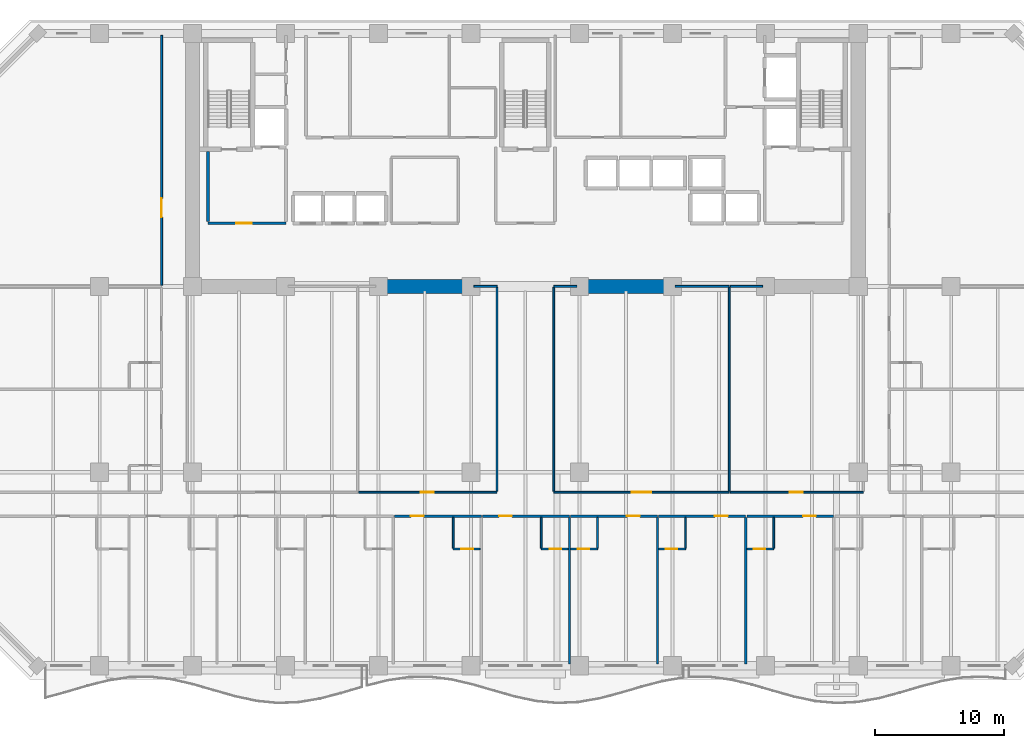
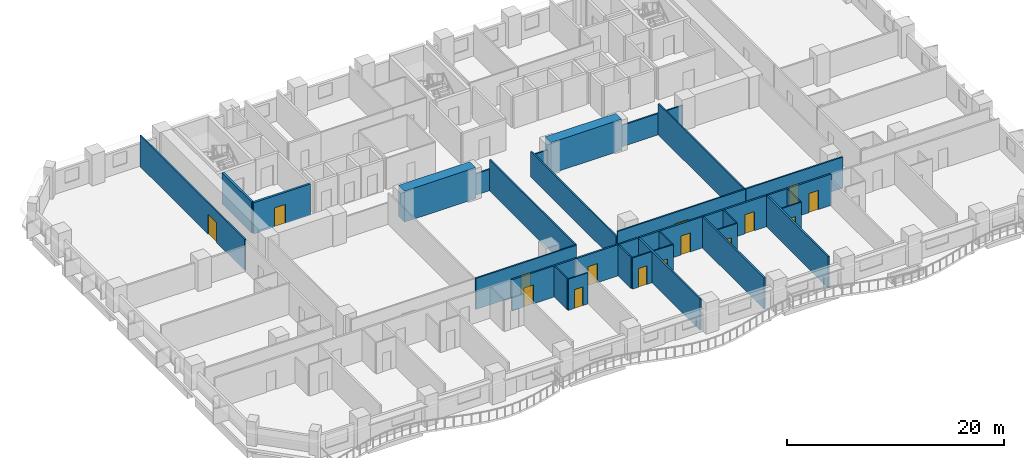
# One storey, part 6 of 15: 33 walls, 15 doors, 15 openings.
"""IFC4 building model written with IfcOpenShell, lengths in metres."""

from ifc_helpers import new_model, si_unit, direction, frame, frame_2d, origin, place, context, subcontext, project, spatial, rectangle, extrude, material, layer, layer_set, type_object, element, fill, save


model = new_model("IFC4")

# Units and contexts
model_context = context("Model", 3, precision=1e-05, world=origin(), true_north=direction((0.0, 1.0)))
body_context = subcontext(model_context, "Body", "Model", "MODEL_VIEW")
ifc_project = project(units=[si_unit("LENGTHUNIT", "METRE"), si_unit("AREAUNIT", "SQUARE_METRE"), si_unit("VOLUMEUNIT", "CUBIC_METRE"), si_unit("PLANEANGLEUNIT", "RADIAN"), si_unit("MASSUNIT", "GRAM", prefix="KILO")], contexts=[model_context])

# Site, building, storey
site_placement = place(None, origin())
site = spatial("IfcSite", under=ifc_project, at=site_placement, CompositionType="ELEMENT")
building_placement = place(site_placement, origin())
building = spatial("IfcBuilding", under=site, at=building_placement, Name="Kaelvorn Grand Hotel", CompositionType="ELEMENT")
storey_placement = place(building_placement, frame((0.0, 0.0, 53.89990234375)))
storey = spatial("IfcBuildingStorey", under=building, at=storey_placement, Name="L11", CompositionType="ELEMENT", Elevation=53.89990234375)

# Walls
ifc_material_1 = material(Name="Concrete C80/95", Category="concrete")
ifc_layer_1 = layer(ifc_material_1, 1.10009765625)
ifc_layer_set_1 = layer_set([ifc_layer_1], Name="Concrete C80/95")
wall_type_1 = type_object("IfcWallType", Name="WL-CORE-1100-C80", PredefinedType="SHEAR", material=ifc_layer_set_1)
for number, where, z_axis, x_axis, name in (
    (1, (30.39990234375, 29.39990234375, 0.0), (0.0, 0.0, 1.0), (1.0, 0.0, 0.0), "L11 Rear-Core Coupled Shear Pier S2"),
    (2, (46.0, 29.39990234375, 0.0), (0.0, 0.0, 1.0), (1.0, 0.0, 0.0), "L11 Rear-Core Coupled Shear Pier S3"),
):
    element("IfcWall", number, at=place(storey_placement, frame(where, z_axis=z_axis, x_axis=x_axis)), inside=storey, type_object=wall_type_1, Name=name, PredefinedType="SHEAR", context=body_context, shape_type="SweptSolid", body=[
        extrude(rectangle(XDim=7.60009765625, YDim=1.10009765625, at=frame_2d((3.800048828125, 0.0))), origin(), (0.0, 0.0, 1.0), 3.510009765625),
    ])

# Wall, opening, door
ifc_material_2 = material(Name="Moisture-Resistant Tile & Stud Board")
ifc_layer_2 = layer(ifc_material_2, 0.125)
ifc_layer_set_2 = layer_set([ifc_layer_2], Name="Moisture-Resistant Tile & Stud Board")
wall_type_2 = type_object("IfcWallType", Name="WL-PART-125-WET", PredefinedType="PARTITIONING", material=ifc_layer_set_2)
wall_1_placement = place(storey_placement, frame((36.406494140625, 9.050048828125, 0.0), z_axis=(0.0, 0.0, 1.0), x_axis=(1.0, 0.0, 0.0)))
wall_1 = element("IfcWall", 3, at=wall_1_placement, inside=storey, type_object=wall_type_2, Name="L11 En-suite Bathroom L11-05 S Partition", PredefinedType="PARTITIONING", context=body_context, shape_type="SweptSolid", body=[
    extrude(rectangle(XDim=2.0849609375, YDim=0.125, at=frame_2d((1.04248046875, 0.0))), origin(), (0.0, 0.0, 1.0), 3.510009765625),
])
opening_1_placement = place(wall_1_placement, frame((0.639892578125, 0.0, 0.0)))
opening_1 = element("IfcOpeningElement", 4, at=opening_1_placement, cuts=wall_1, Name="Opening DI4", PredefinedType="OPENING", context=body_context, shape_type="SweptSolid", body=[
    extrude(rectangle(XDim=0.89990234375, YDim=2.10009765625, at=frame_2d((0.449951171875, 1.050048828125))), frame((0.0, 0.072509765625, 0.0), z_axis=(0.0, -1.0, 0.0), x_axis=(1.0, 0.0, 0.0)), (0.0, 0.0, 1.0), 0.14501953125),
])
ifc_material_3 = material(Name="Timber Veneer Leaf", Category="wood")
door_type_1 = type_object("IfcDoorType", Name="DR-INT-BATH-900x2100", OperationType="NOTDEFINED", PredefinedType="DOOR", material=ifc_material_3)
door_1_placement = place(opening_1_placement, origin())
door_1 = element("IfcDoor", 5, at=door_1_placement, inside=storey, type_object=door_type_1, Name="L11 En-suite Bathroom L11-05 Door", OperationType="SINGLE_SWING_RIGHT", OverallHeight=2.10009765625, OverallWidth=0.89990234375, PredefinedType="DOOR", context=body_context, shape_type="SweptSolid", body=[
    extrude(rectangle(XDim=0.89990234375, YDim=2.10009765625, at=frame_2d((0.449951171875, 1.050048828125))), frame((0.0, 0.02490234375, 0.0), z_axis=(0.0, -1.0, 0.0), x_axis=(1.0, 0.0, 0.0)), (0.0, 0.0, 1.0), 0.050048828125),
])
fill(opening_1, door_1)

# Wall
wall_2_placement = place(storey_placement, frame((36.406494140625, 9.117431640625, 0.0), z_axis=(0.0, 0.0, 1.0), x_axis=(0.0, 1.0, 0.0)))
element("IfcWall", 6, at=wall_2_placement, inside=storey, type_object=wall_type_2, Name="L11 En-suite Bathroom L11-05 W Partition", PredefinedType="PARTITIONING", context=body_context, shape_type="SweptSolid", body=[
    extrude(rectangle(XDim=2.387451171875, YDim=0.125, at=frame_2d((1.19384765625, 0.0))), origin(), (0.0, 0.0, 1.0), 3.510009765625),
])

# Wall, opening, door
wall_3_placement = place(storey_placement, frame((43.233642578125, 9.050048828125, 0.0), z_axis=(0.0, 0.0, 1.0), x_axis=(1.0, 0.0, 0.0)))
wall_3 = element("IfcWall", 7, at=wall_3_placement, inside=storey, type_object=wall_type_2, Name="L11 En-suite Bathroom L11-06 S Partition", PredefinedType="PARTITIONING", context=body_context, shape_type="SweptSolid", body=[
    extrude(rectangle(XDim=2.0849609375, YDim=0.125, at=frame_2d((1.04248046875, 0.0))), origin(), (0.0, 0.0, 1.0), 3.510009765625),
])
opening_2_placement = place(wall_3_placement, frame((0.639892578125, 0.0, 0.0)))
opening_2 = element("IfcOpeningElement", 8, at=opening_2_placement, cuts=wall_3, Name="Opening DI4", PredefinedType="OPENING", context=body_context, shape_type="SweptSolid", body=[
    extrude(rectangle(XDim=0.89990234375, YDim=2.10009765625, at=frame_2d((0.449951171875, 1.050048828125))), frame((0.0, 0.072509765625, 0.0), z_axis=(0.0, -1.0, 0.0), x_axis=(1.0, 0.0, 0.0)), (0.0, 0.0, 1.0), 0.14501953125),
])
door_2_placement = place(opening_2_placement, origin())
door_2 = element("IfcDoor", 9, at=door_2_placement, inside=storey, type_object=door_type_1, Name="L11 En-suite Bathroom L11-06 Door", OperationType="SINGLE_SWING_RIGHT", OverallHeight=2.10009765625, OverallWidth=0.89990234375, PredefinedType="DOOR", context=body_context, shape_type="SweptSolid", body=[
    extrude(rectangle(XDim=0.89990234375, YDim=2.10009765625, at=frame_2d((0.449951171875, 1.050048828125))), frame((0.0, 0.02490234375, 0.0), z_axis=(0.0, -1.0, 0.0), x_axis=(1.0, 0.0, 0.0)), (0.0, 0.0, 1.0), 0.050048828125),
])
fill(opening_2, door_2)

# Wall
wall_4_placement = place(storey_placement, frame((43.233642578125, 9.117431640625, 0.0), z_axis=(0.0, 0.0, 1.0), x_axis=(0.0, 1.0, 0.0)))
element("IfcWall", 10, at=wall_4_placement, inside=storey, type_object=wall_type_2, Name="L11 En-suite Bathroom L11-06 W Partition", PredefinedType="PARTITIONING", context=body_context, shape_type="SweptSolid", body=[
    extrude(rectangle(XDim=2.387451171875, YDim=0.125, at=frame_2d((1.19384765625, 0.0))), origin(), (0.0, 0.0, 1.0), 3.510009765625),
])

# Wall, opening, door
wall_5_placement = place(storey_placement, frame((45.508544921875, 9.050048828125, 0.0), z_axis=(0.0, 0.0, 1.0), x_axis=(1.0, 0.0, 0.0)))
wall_5 = element("IfcWall", 11, at=wall_5_placement, inside=storey, type_object=wall_type_2, Name="L11 En-suite Bathroom L11-07 S Partition", PredefinedType="PARTITIONING", context=body_context, shape_type="SweptSolid", body=[
    extrude(rectangle(XDim=2.0849609375, YDim=0.125, at=frame_2d((1.04248046875, 0.0))), origin(), (0.0, 0.0, 1.0), 3.510009765625),
])
opening_3_placement = place(wall_5_placement, frame((0.544921875, 0.0, 0.0)))
opening_3 = element("IfcOpeningElement", 12, at=opening_3_placement, cuts=wall_5, Name="Opening DI4", PredefinedType="OPENING", context=body_context, shape_type="SweptSolid", body=[
    extrude(rectangle(XDim=0.89990234375, YDim=2.10009765625, at=frame_2d((0.449951171875, 1.050048828125))), frame((0.0, 0.072509765625, 0.0), z_axis=(0.0, -1.0, 0.0), x_axis=(1.0, 0.0, 0.0)), (0.0, 0.0, 1.0), 0.14501953125),
])
door_3_placement = place(opening_3_placement, origin())
door_3 = element("IfcDoor", 13, at=door_3_placement, inside=storey, type_object=door_type_1, Name="L11 En-suite Bathroom L11-07 Door", OperationType="SINGLE_SWING_RIGHT", OverallHeight=2.10009765625, OverallWidth=0.89990234375, PredefinedType="DOOR", context=body_context, shape_type="SweptSolid", body=[
    extrude(rectangle(XDim=0.89990234375, YDim=2.10009765625, at=frame_2d((0.449951171875, 1.050048828125))), frame((0.0, 0.02490234375, 0.0), z_axis=(0.0, -1.0, 0.0), x_axis=(1.0, 0.0, 0.0)), (0.0, 0.0, 1.0), 0.050048828125),
])
fill(opening_3, door_3)

# Wall
wall_6_placement = place(storey_placement, frame((47.593505859375, 9.117431640625, 0.0), z_axis=(0.0, 0.0, 1.0), x_axis=(0.0, 1.0, 0.0)))
element("IfcWall", 14, at=wall_6_placement, inside=storey, type_object=wall_type_2, Name="L11 En-suite Bathroom L11-07 E Partition", PredefinedType="PARTITIONING", context=body_context, shape_type="SweptSolid", body=[
    extrude(rectangle(XDim=2.387451171875, YDim=0.125, at=frame_2d((1.19384765625, 0.0))), origin(), (0.0, 0.0, 1.0), 3.510009765625),
])

# Wall, opening, door
wall_7_placement = place(storey_placement, frame((52.3359375, 9.050048828125, 0.0), z_axis=(0.0, 0.0, 1.0), x_axis=(1.0, 0.0, 0.0)))
wall_7 = element("IfcWall", 15, at=wall_7_placement, inside=storey, type_object=wall_type_2, Name="L11 En-suite Bathroom L11-08 S Partition", PredefinedType="PARTITIONING", context=body_context, shape_type="SweptSolid", body=[
    extrude(rectangle(XDim=2.0849609375, YDim=0.125, at=frame_2d((1.04248046875, 0.0))), origin(), (0.0, 0.0, 1.0), 3.510009765625),
])
opening_4_placement = place(wall_7_placement, frame((0.544921875, 0.0, 0.0)))
opening_4 = element("IfcOpeningElement", 16, at=opening_4_placement, cuts=wall_7, Name="Opening DI4", PredefinedType="OPENING", context=body_context, shape_type="SweptSolid", body=[
    extrude(rectangle(XDim=0.89990234375, YDim=2.10009765625, at=frame_2d((0.449951171875, 1.050048828125))), frame((0.0, 0.072509765625, 0.0), z_axis=(0.0, -1.0, 0.0), x_axis=(1.0, 0.0, 0.0)), (0.0, 0.0, 1.0), 0.14501953125),
])
door_4_placement = place(opening_4_placement, origin())
door_4 = element("IfcDoor", 17, at=door_4_placement, inside=storey, type_object=door_type_1, Name="L11 En-suite Bathroom L11-08 Door", OperationType="SINGLE_SWING_RIGHT", OverallHeight=2.10009765625, OverallWidth=0.89990234375, PredefinedType="DOOR", context=body_context, shape_type="SweptSolid", body=[
    extrude(rectangle(XDim=0.89990234375, YDim=2.10009765625, at=frame_2d((0.449951171875, 1.050048828125))), frame((0.0, 0.02490234375, 0.0), z_axis=(0.0, -1.0, 0.0), x_axis=(1.0, 0.0, 0.0)), (0.0, 0.0, 1.0), 0.050048828125),
])
fill(opening_4, door_4)

# Wall
wall_8_placement = place(storey_placement, frame((54.4208984375, 9.117431640625, 0.0), z_axis=(0.0, 0.0, 1.0), x_axis=(0.0, 1.0, 0.0)))
element("IfcWall", 18, at=wall_8_placement, inside=storey, type_object=wall_type_2, Name="L11 En-suite Bathroom L11-08 E Partition", PredefinedType="PARTITIONING", context=body_context, shape_type="SweptSolid", body=[
    extrude(rectangle(XDim=2.387451171875, YDim=0.125, at=frame_2d((1.19384765625, 0.0))), origin(), (0.0, 0.0, 1.0), 3.510009765625),
])

# Wall, opening, door
wall_9_placement = place(storey_placement, frame((59.1630859375, 9.050048828125, 0.0), z_axis=(0.0, 0.0, 1.0), x_axis=(1.0, 0.0, 0.0)))
wall_9 = element("IfcWall", 19, at=wall_9_placement, inside=storey, type_object=wall_type_2, Name="L11 En-suite Bathroom L11-09 S Partition", PredefinedType="PARTITIONING", context=body_context, shape_type="SweptSolid", body=[
    extrude(rectangle(XDim=2.085205078125, YDim=0.125, at=frame_2d((1.04248046875, 0.0))), origin(), (0.0, 0.0, 1.0), 3.510009765625),
])
opening_5_placement = place(wall_9_placement, frame((0.544921875, 0.0, 0.0)))
opening_5 = element("IfcOpeningElement", 20, at=opening_5_placement, cuts=wall_9, Name="Opening DI4", PredefinedType="OPENING", context=body_context, shape_type="SweptSolid", body=[
    extrude(rectangle(XDim=0.89990234375, YDim=2.10009765625, at=frame_2d((0.449951171875, 1.050048828125))), frame((0.0, 0.072509765625, 0.0), z_axis=(0.0, -1.0, 0.0), x_axis=(1.0, 0.0, 0.0)), (0.0, 0.0, 1.0), 0.14501953125),
])
door_5_placement = place(opening_5_placement, origin())
door_5 = element("IfcDoor", 21, at=door_5_placement, inside=storey, type_object=door_type_1, Name="L11 En-suite Bathroom L11-09 Door", OperationType="SINGLE_SWING_RIGHT", OverallHeight=2.10009765625, OverallWidth=0.89990234375, PredefinedType="DOOR", context=body_context, shape_type="SweptSolid", body=[
    extrude(rectangle(XDim=0.89990234375, YDim=2.10009765625, at=frame_2d((0.449951171875, 1.050048828125))), frame((0.0, 0.02490234375, 0.0), z_axis=(0.0, -1.0, 0.0), x_axis=(1.0, 0.0, 0.0)), (0.0, 0.0, 1.0), 0.050048828125),
])
fill(opening_5, door_5)

# Wall
wall_10_placement = place(storey_placement, frame((61.248291015625, 9.117431640625, 0.0), z_axis=(0.0, 0.0, 1.0), x_axis=(0.0, 1.0, 0.0)))
element("IfcWall", 22, at=wall_10_placement, inside=storey, type_object=wall_type_2, Name="L11 En-suite Bathroom L11-09 E Partition", PredefinedType="PARTITIONING", context=body_context, shape_type="SweptSolid", body=[
    extrude(rectangle(XDim=2.387451171875, YDim=0.125, at=frame_2d((1.19384765625, 0.0))), origin(), (0.0, 0.0, 1.0), 3.510009765625),
])

# Wall, opening, door
ifc_material_4 = material(Name="Acoustic Gypsum & Stud Partition")
ifc_layer_3 = layer(ifc_material_4, 0.14990234375)
ifc_layer_set_3 = layer_set([ifc_layer_3], Name="Acoustic Gypsum & Stud Partition")
wall_type_3 = type_object("IfcWallType", Name="WL-PART-150-EI60", PredefinedType="PARTITIONING", material=ifc_layer_set_3)
wall_11_placement = place(storey_placement, frame((29.080078125, 13.449951171875, 0.0), z_axis=(0.0, 0.0, 1.0), x_axis=(1.0, 0.0, 0.0)))
wall_11 = element("IfcWall", 23, at=wall_11_placement, inside=storey, type_object=wall_type_3, Name="L11 Chef Finishing Kitchen S Partition", PredefinedType="PARTITIONING", context=body_context, shape_type="SweptSolid", body=[
    extrude(rectangle(XDim=10.719970703125, YDim=0.14990234375, at=frame_2d((5.35986328125, 0.0))), origin(), (0.0, 0.0, 1.0), 3.510009765625),
])
opening_6_placement = place(wall_11_placement, frame((4.820068359375, 0.0, 0.0)))
opening_6 = element("IfcOpeningElement", 24, at=opening_6_placement, cuts=wall_11, Name="Opening DI3", PredefinedType="OPENING", context=body_context, shape_type="SweptSolid", body=[
    extrude(rectangle(XDim=1.0, YDim=2.14990234375, at=frame_2d((0.5, 1.074951171875))), frame((0.0, 0.0849609375, 0.0), z_axis=(0.0, -1.0, 0.0), x_axis=(1.0, 0.0, 0.0)), (0.0, 0.0, 1.0), 0.169921875),
])
ifc_material_5 = material(Name="Timber Veneer Fire Leaf", Category="wood")
door_type_2 = type_object("IfcDoorType", Name="DR-INT-GUEST-1000x2150", OperationType="NOTDEFINED", PredefinedType="DOOR", material=ifc_material_5)
door_6_placement = place(opening_6_placement, origin())
door_6 = element("IfcDoor", 25, at=door_6_placement, inside=storey, type_object=door_type_2, Name="L11 Chef Finishing Kitchen Door", OperationType="SINGLE_SWING_LEFT", OverallHeight=2.14990234375, OverallWidth=1.0, PredefinedType="DOOR", context=body_context, shape_type="SweptSolid", body=[
    extrude(rectangle(XDim=1.0, YDim=2.14990234375, at=frame_2d((0.5, 1.074951171875))), frame((0.0, 0.02490234375, 0.0), z_axis=(0.0, -1.0, 0.0), x_axis=(1.0, 0.0, 0.0)), (0.0, 0.0, 1.0), 0.050048828125),
])
fill(opening_6, door_6)

# Walls
wall_12_placement = place(storey_placement, frame((38.010009765625, 29.39990234375, 0.0), z_axis=(0.0, 0.0, 1.0), x_axis=(1.0, 0.0, 0.0)))
element("IfcWall", 26, at=wall_12_placement, inside=storey, type_object=wall_type_3, Name="L11 Chef Finishing Kitchen N Partition (2)", PredefinedType="PARTITIONING", context=body_context, shape_type="SweptSolid", body=[
    extrude(rectangle(XDim=1.7900390625, YDim=0.14990234375, at=frame_2d((0.89501953125, 0.0))), origin(), (0.0, 0.0, 1.0), 2.41015625),
])
wall_13_placement = place(storey_placement, frame((39.800048828125, 13.530029296875, 0.0), z_axis=(0.0, 0.0, 1.0), x_axis=(0.0, 1.0, 0.0)))
element("IfcWall", 27, at=wall_13_placement, inside=storey, type_object=wall_type_3, Name="L11 Chef Finishing Kitchen E Partition", PredefinedType="PARTITIONING", context=body_context, shape_type="SweptSolid", body=[
    extrude(rectangle(XDim=15.7900390625, YDim=0.14990234375, at=frame_2d((7.89501953125, 0.0))), origin(), (0.0, 0.0, 1.0), 3.510009765625),
])

# Wall, opening, door
wall_14_placement = place(storey_placement, frame((44.199951171875, 13.449951171875, 0.0), z_axis=(0.0, 0.0, 1.0), x_axis=(1.0, 0.0, 0.0)))
wall_14 = element("IfcWall", 28, at=wall_14_placement, inside=storey, type_object=wall_type_3, Name="L11 Conference Seminar Room S Partition", PredefinedType="PARTITIONING", context=body_context, shape_type="SweptSolid", body=[
    extrude(rectangle(XDim=13.60009765625, YDim=0.14990234375, at=frame_2d((6.800048828125, 0.0))), origin(), (0.0, 0.0, 1.0), 3.510009765625),
])
opening_7_placement = place(wall_14_placement, frame((6.050048828125, 0.0, 0.0)))
opening_7 = element("IfcOpeningElement", 29, at=opening_7_placement, cuts=wall_14, Name="Opening DI5", PredefinedType="OPENING", context=body_context, shape_type="SweptSolid", body=[
    extrude(rectangle(XDim=1.5, YDim=2.25, at=frame_2d((0.75, 1.125))), frame((0.0, 0.0849609375, 0.0), z_axis=(0.0, -1.0, 0.0), x_axis=(1.0, 0.0, 0.0)), (0.0, 0.0, 1.0), 0.169921875),
])
door_type_3 = type_object("IfcDoorType", Name="DR-INT-SALON-1500x2250", OperationType="DOUBLE_DOOR_SINGLE_SWING", PredefinedType="DOOR", material=ifc_material_5)
door_7_placement = place(opening_7_placement, origin())
door_7 = element("IfcDoor", 30, at=door_7_placement, inside=storey, type_object=door_type_3, Name="L11 Conference Seminar Room Door", OperationType="DOUBLE_DOOR_SINGLE_SWING", OverallHeight=2.25, OverallWidth=1.5, PredefinedType="DOOR", context=body_context, shape_type="SweptSolid", body=[
    extrude(rectangle(XDim=1.5, YDim=2.25, at=frame_2d((0.75, 1.125))), frame((0.0, 0.02490234375, 0.0), z_axis=(0.0, -1.0, 0.0), x_axis=(1.0, 0.0, 0.0)), (0.0, 0.0, 1.0), 0.050048828125),
])
fill(opening_7, door_7)

# Walls
wall_15_placement = place(storey_placement, frame((44.199951171875, 29.39990234375, 0.0), z_axis=(0.0, 0.0, 1.0), x_axis=(1.0, 0.0, 0.0)))
element("IfcWall", 31, at=wall_15_placement, inside=storey, type_object=wall_type_3, Name="L11 Conference Seminar Room N Partition (1)", PredefinedType="PARTITIONING", context=body_context, shape_type="SweptSolid", body=[
    extrude(rectangle(XDim=1.7900390625, YDim=0.14990234375, at=frame_2d((0.89501953125, 0.0))), origin(), (0.0, 0.0, 1.0), 2.41015625),
])
wall_16_placement = place(storey_placement, frame((53.610107421875, 29.39990234375, 0.0), z_axis=(0.0, 0.0, 1.0), x_axis=(1.0, 0.0, 0.0)))
element("IfcWall", 32, at=wall_16_placement, inside=storey, type_object=wall_type_3, Name="L11 Conference Seminar Room N Partition (2)", PredefinedType="PARTITIONING", context=body_context, shape_type="SweptSolid", body=[
    extrude(rectangle(XDim=4.18994140625, YDim=0.14990234375, at=frame_2d((2.094970703125, 0.0))), origin(), (0.0, 0.0, 1.0), 2.41015625),
])
wall_17_placement = place(storey_placement, frame((44.199951171875, 13.530029296875, 0.0), z_axis=(0.0, 0.0, 1.0), x_axis=(0.0, 1.0, 0.0)))
element("IfcWall", 33, at=wall_17_placement, inside=storey, type_object=wall_type_3, Name="L11 Conference Seminar Room W Partition", PredefinedType="PARTITIONING", context=body_context, shape_type="SweptSolid", body=[
    extrude(rectangle(XDim=15.7900390625, YDim=0.14990234375, at=frame_2d((7.89501953125, 0.0))), origin(), (0.0, 0.0, 1.0), 2.880126953125),
])
wall_18_placement = place(storey_placement, frame((57.800048828125, 13.530029296875, 0.0), z_axis=(0.0, 0.0, 1.0), x_axis=(0.0, 1.0, 0.0)))
element("IfcWall", 34, at=wall_18_placement, inside=storey, type_object=wall_type_3, Name="L11 Conference Seminar Room E Partition", PredefinedType="PARTITIONING", context=body_context, shape_type="SweptSolid", body=[
    extrude(rectangle(XDim=15.7900390625, YDim=0.14990234375, at=frame_2d((7.89501953125, 0.0))), origin(), (0.0, 0.0, 1.0), 3.510009765625),
])

# Wall, opening, door
wall_19_placement = place(storey_placement, frame((57.8798828125, 13.449951171875, 0.0), z_axis=(0.0, 0.0, 1.0), x_axis=(1.0, 0.0, 0.0)))
wall_19 = element("IfcWall", 35, at=wall_19_placement, inside=storey, type_object=wall_type_3, Name="L11 Concierge Admin Office S Partition", PredefinedType="PARTITIONING", context=body_context, shape_type="SweptSolid", body=[
    extrude(rectangle(XDim=10.320068359375, YDim=0.14990234375, at=frame_2d((5.16015625, 0.0))), origin(), (0.0, 0.0, 1.0), 3.510009765625),
])
opening_8_placement = place(wall_19_placement, frame((4.6201171875, 0.0, 0.0)))
opening_8 = element("IfcOpeningElement", 36, at=opening_8_placement, cuts=wall_19, Name="Opening DI3", PredefinedType="OPENING", context=body_context, shape_type="SweptSolid", body=[
    extrude(rectangle(XDim=1.0, YDim=2.14990234375, at=frame_2d((0.5, 1.074951171875))), frame((0.0, 0.0849609375, 0.0), z_axis=(0.0, -1.0, 0.0), x_axis=(1.0, 0.0, 0.0)), (0.0, 0.0, 1.0), 0.169921875),
])
door_8_placement = place(opening_8_placement, origin())
door_8 = element("IfcDoor", 37, at=door_8_placement, inside=storey, type_object=door_type_2, Name="L11 Concierge Admin Office Door", OperationType="SINGLE_SWING_RIGHT", OverallHeight=2.14990234375, OverallWidth=1.0, PredefinedType="DOOR", context=body_context, shape_type="SweptSolid", body=[
    extrude(rectangle(XDim=1.0, YDim=2.14990234375, at=frame_2d((0.5, 1.074951171875))), frame((0.0, 0.02490234375, 0.0), z_axis=(0.0, -1.0, 0.0), x_axis=(1.0, 0.0, 0.0)), (0.0, 0.0, 1.0), 0.050048828125),
])
fill(opening_8, door_8)

# Wall
wall_20_placement = place(storey_placement, frame((57.8798828125, 29.39990234375, 0.0), z_axis=(0.0, 0.0, 1.0), x_axis=(1.0, 0.0, 0.0)))
element("IfcWall", 38, at=wall_20_placement, inside=storey, type_object=wall_type_3, Name="L11 Concierge Admin Office N Partition", PredefinedType="PARTITIONING", context=body_context, shape_type="SweptSolid", body=[
    extrude(rectangle(XDim=2.510009765625, YDim=0.14990234375, at=frame_2d((1.2548828125, 0.0))), origin(), (0.0, 0.0, 1.0), 2.41015625),
])

# Wall, opening, door
wall_21_placement = place(storey_placement, frame((13.800048828125, 29.4951171875, 0.0), z_axis=(0.0, 0.0, 1.0), x_axis=(0.0, 1.0, 0.0)))
wall_21 = element("IfcWall", 39, at=wall_21_placement, inside=storey, type_object=wall_type_3, Name="L11 North-West Conference Seminar Room E Partition", PredefinedType="PARTITIONING", context=body_context, shape_type="SweptSolid", body=[
    extrude(rectangle(XDim=19.35498046875, YDim=0.14990234375, at=frame_2d((9.677490234375, 0.0))), origin(), (0.0, 0.0, 1.0), 3.510009765625),
])
opening_9_placement = place(wall_21_placement, frame((5.2548828125, 0.0, 0.0)))
opening_9 = element("IfcOpeningElement", 40, at=opening_9_placement, cuts=wall_21, Name="Opening DI5", PredefinedType="OPENING", context=body_context, shape_type="SweptSolid", body=[
    extrude(rectangle(XDim=1.5, YDim=2.25, at=frame_2d((0.75, 1.125))), frame((0.0, 0.0849609375, 0.0), z_axis=(0.0, -1.0, 0.0), x_axis=(1.0, 0.0, 0.0)), (0.0, 0.0, 1.0), 0.169921875),
])
door_9_placement = place(opening_9_placement, origin())
door_9 = element("IfcDoor", 41, at=door_9_placement, inside=storey, type_object=door_type_3, Name="L11 North-West Conference Seminar Room Door", OperationType="DOUBLE_DOOR_SINGLE_SWING", OverallHeight=2.25, OverallWidth=1.5, PredefinedType="DOOR", context=body_context, shape_type="SweptSolid", body=[
    extrude(rectangle(XDim=1.5, YDim=2.25, at=frame_2d((0.75, 1.125))), frame((0.0, 0.02490234375, 0.0), z_axis=(0.0, -1.0, 0.0), x_axis=(1.0, 0.0, 0.0)), (0.0, 0.0, 1.0), 0.050048828125),
])
fill(opening_9, door_9)

ifc_layer_4 = layer(ifc_material_4, 0.179931640625)
ifc_layer_set_4 = layer_set([ifc_layer_4], Name="Acoustic Gypsum & Stud Partition")
wall_type_4 = type_object("IfcWallType", Name="WL-PART-180-EI60", PredefinedType="PARTITIONING", material=ifc_layer_set_4)
wall_22_placement = place(storey_placement, frame((31.85400390625, 11.60009765625, 0.0), z_axis=(0.0, 0.0, 1.0), x_axis=(1.0, 0.0, 0.0)))
wall_22 = element("IfcWall", 42, at=wall_22_placement, inside=storey, type_object=wall_type_4, Name="L11 Deluxe Panoramic Suite L11-05 N Partition", PredefinedType="PARTITIONING", context=body_context, shape_type="SweptSolid", body=[
    extrude(rectangle(XDim=6.732421875, YDim=0.179931640625, at=frame_2d((3.3662109375, 0.0))), origin(), (0.0, 0.0, 1.0), 3.510009765625),
])
opening_10_placement = place(wall_22_placement, frame((1.27880859375, 0.0, 0.0)))
opening_10 = element("IfcOpeningElement", 43, at=opening_10_placement, cuts=wall_22, Name="Opening DI3", PredefinedType="OPENING", context=body_context, shape_type="SweptSolid", body=[
    extrude(rectangle(XDim=1.0, YDim=2.14990234375, at=frame_2d((0.5, 1.074951171875))), frame((0.0, 0.10009765625, 0.0), z_axis=(0.0, -1.0, 0.0), x_axis=(1.0, 0.0, 0.0)), (0.0, 0.0, 1.0), 0.199951171875),
])
door_10_placement = place(opening_10_placement, origin())
door_10 = element("IfcDoor", 44, at=door_10_placement, inside=storey, type_object=door_type_2, Name="L11 Deluxe Panoramic Suite L11-05 Door", OperationType="SINGLE_SWING_LEFT", OverallHeight=2.14990234375, OverallWidth=1.0, PredefinedType="DOOR", context=body_context, shape_type="SweptSolid", body=[
    extrude(rectangle(XDim=1.0, YDim=2.14990234375, at=frame_2d((0.5, 1.074951171875))), frame((0.0, 0.02490234375, 0.0), z_axis=(0.0, -1.0, 0.0), x_axis=(1.0, 0.0, 0.0)), (0.0, 0.0, 1.0), 0.050048828125),
])
fill(opening_10, door_10)

wall_23_placement = place(storey_placement, frame((38.681396484375, 11.60009765625, 0.0), z_axis=(0.0, 0.0, 1.0), x_axis=(1.0, 0.0, 0.0)))
wall_23 = element("IfcWall", 45, at=wall_23_placement, inside=storey, type_object=wall_type_4, Name="L11 Deluxe Panoramic Suite L11-06 N Partition", PredefinedType="PARTITIONING", context=body_context, shape_type="SweptSolid", body=[
    extrude(rectangle(XDim=6.732177734375, YDim=0.179931640625, at=frame_2d((3.3662109375, 0.0))), origin(), (0.0, 0.0, 1.0), 3.510009765625),
])
opening_11_placement = place(wall_23_placement, frame((1.278564453125, 0.0, 0.0)))
opening_11 = element("IfcOpeningElement", 46, at=opening_11_placement, cuts=wall_23, Name="Opening DI3", PredefinedType="OPENING", context=body_context, shape_type="SweptSolid", body=[
    extrude(rectangle(XDim=1.0, YDim=2.14990234375, at=frame_2d((0.5, 1.074951171875))), frame((0.0, 0.10009765625, 0.0), z_axis=(0.0, -1.0, 0.0), x_axis=(1.0, 0.0, 0.0)), (0.0, 0.0, 1.0), 0.199951171875),
])
door_11_placement = place(opening_11_placement, origin())
door_11 = element("IfcDoor", 47, at=door_11_placement, inside=storey, type_object=door_type_2, Name="L11 Deluxe Panoramic Suite L11-06 Door", OperationType="SINGLE_SWING_LEFT", OverallHeight=2.14990234375, OverallWidth=1.0, PredefinedType="DOOR", context=body_context, shape_type="SweptSolid", body=[
    extrude(rectangle(XDim=1.0, YDim=2.14990234375, at=frame_2d((0.5, 1.074951171875))), frame((0.0, 0.02490234375, 0.0), z_axis=(0.0, -1.0, 0.0), x_axis=(1.0, 0.0, 0.0)), (0.0, 0.0, 1.0), 0.050048828125),
])
fill(opening_11, door_11)

# Wall
wall_24_placement = place(storey_placement, frame((45.41357421875, 0.14990234375, 0.0), z_axis=(0.0, 0.0, 1.0), x_axis=(0.0, 1.0, 0.0)))
element("IfcWall", 48, at=wall_24_placement, inside=storey, type_object=wall_type_4, Name="L11 Deluxe Panoramic Suite L11-06 E Partition", PredefinedType="PARTITIONING", context=body_context, shape_type="SweptSolid", body=[
    extrude(rectangle(XDim=11.35498046875, YDim=0.179931640625, at=frame_2d((5.677490234375, 0.0))), origin(), (0.0, 0.0, 1.0), 3.510009765625),
])

# Wall, opening, door
wall_25_placement = place(storey_placement, frame((45.508544921875, 11.60009765625, 0.0), z_axis=(0.0, 0.0, 1.0), x_axis=(1.0, 0.0, 0.0)))
wall_25 = element("IfcWall", 49, at=wall_25_placement, inside=storey, type_object=wall_type_4, Name="L11 Deluxe Panoramic Suite L11-07 N Partition", PredefinedType="PARTITIONING", context=body_context, shape_type="SweptSolid", body=[
    extrude(rectangle(XDim=6.732421875, YDim=0.179931640625, at=frame_2d((3.3662109375, 0.0))), origin(), (0.0, 0.0, 1.0), 3.510009765625),
])
opening_12_placement = place(wall_25_placement, frame((4.358642578125, 0.0, 0.0)))
opening_12 = element("IfcOpeningElement", 50, at=opening_12_placement, cuts=wall_25, Name="Opening DI3", PredefinedType="OPENING", context=body_context, shape_type="SweptSolid", body=[
    extrude(rectangle(XDim=1.0, YDim=2.14990234375, at=frame_2d((0.5, 1.074951171875))), frame((0.0, 0.10009765625, 0.0), z_axis=(0.0, -1.0, 0.0), x_axis=(1.0, 0.0, 0.0)), (0.0, 0.0, 1.0), 0.199951171875),
])
door_12_placement = place(opening_12_placement, origin())
door_12 = element("IfcDoor", 51, at=door_12_placement, inside=storey, type_object=door_type_2, Name="L11 Deluxe Panoramic Suite L11-07 Door", OperationType="SINGLE_SWING_LEFT", OverallHeight=2.14990234375, OverallWidth=1.0, PredefinedType="DOOR", context=body_context, shape_type="SweptSolid", body=[
    extrude(rectangle(XDim=1.0, YDim=2.14990234375, at=frame_2d((0.5, 1.074951171875))), frame((0.0, 0.02490234375, 0.0), z_axis=(0.0, -1.0, 0.0), x_axis=(1.0, 0.0, 0.0)), (0.0, 0.0, 1.0), 0.050048828125),
])
fill(opening_12, door_12)

# Wall
wall_26_placement = place(storey_placement, frame((52.240966796875, 0.14990234375, 0.0), z_axis=(0.0, 0.0, 1.0), x_axis=(0.0, 1.0, 0.0)))
element("IfcWall", 52, at=wall_26_placement, inside=storey, type_object=wall_type_4, Name="L11 Deluxe Panoramic Suite L11-07 E Partition", PredefinedType="PARTITIONING", context=body_context, shape_type="SweptSolid", body=[
    extrude(rectangle(XDim=11.35498046875, YDim=0.179931640625, at=frame_2d((5.677490234375, 0.0))), origin(), (0.0, 0.0, 1.0), 3.510009765625),
])

# Wall, opening, door
wall_27_placement = place(storey_placement, frame((52.3359375, 11.60009765625, 0.0), z_axis=(0.0, 0.0, 1.0), x_axis=(1.0, 0.0, 0.0)))
wall_27 = element("IfcWall", 53, at=wall_27_placement, inside=storey, type_object=wall_type_4, Name="L11 Deluxe Panoramic Suite L11-08 N Partition", PredefinedType="PARTITIONING", context=body_context, shape_type="SweptSolid", body=[
    extrude(rectangle(XDim=6.732177734375, YDim=0.179931640625, at=frame_2d((3.3662109375, 0.0))), origin(), (0.0, 0.0, 1.0), 3.510009765625),
])
opening_13_placement = place(wall_27_placement, frame((4.358642578125, 0.0, 0.0)))
opening_13 = element("IfcOpeningElement", 54, at=opening_13_placement, cuts=wall_27, Name="Opening DI3", PredefinedType="OPENING", context=body_context, shape_type="SweptSolid", body=[
    extrude(rectangle(XDim=1.0, YDim=2.14990234375, at=frame_2d((0.5, 1.074951171875))), frame((0.0, 0.10009765625, 0.0), z_axis=(0.0, -1.0, 0.0), x_axis=(1.0, 0.0, 0.0)), (0.0, 0.0, 1.0), 0.199951171875),
])
door_13_placement = place(opening_13_placement, origin())
door_13 = element("IfcDoor", 55, at=door_13_placement, inside=storey, type_object=door_type_2, Name="L11 Deluxe Panoramic Suite L11-08 Door", OperationType="SINGLE_SWING_LEFT", OverallHeight=2.14990234375, OverallWidth=1.0, PredefinedType="DOOR", context=body_context, shape_type="SweptSolid", body=[
    extrude(rectangle(XDim=1.0, YDim=2.14990234375, at=frame_2d((0.5, 1.074951171875))), frame((0.0, 0.02490234375, 0.0), z_axis=(0.0, -1.0, 0.0), x_axis=(1.0, 0.0, 0.0)), (0.0, 0.0, 1.0), 0.050048828125),
])
fill(opening_13, door_13)

# Wall
wall_28_placement = place(storey_placement, frame((59.068115234375, 0.14990234375, 0.0), z_axis=(0.0, 0.0, 1.0), x_axis=(0.0, 1.0, 0.0)))
element("IfcWall", 56, at=wall_28_placement, inside=storey, type_object=wall_type_4, Name="L11 Deluxe Panoramic Suite L11-08 E Partition", PredefinedType="PARTITIONING", context=body_context, shape_type="SweptSolid", body=[
    extrude(rectangle(XDim=11.35498046875, YDim=0.179931640625, at=frame_2d((5.677490234375, 0.0))), origin(), (0.0, 0.0, 1.0), 3.510009765625),
])

# Wall, opening, door
wall_29_placement = place(storey_placement, frame((59.1630859375, 11.60009765625, 0.0), z_axis=(0.0, 0.0, 1.0), x_axis=(1.0, 0.0, 0.0)))
wall_29 = element("IfcWall", 57, at=wall_29_placement, inside=storey, type_object=wall_type_4, Name="L11 Deluxe Panoramic Suite L11-09 N Partition", PredefinedType="PARTITIONING", context=body_context, shape_type="SweptSolid", body=[
    extrude(rectangle(XDim=6.732421875, YDim=0.179931640625, at=frame_2d((3.3662109375, 0.0))), origin(), (0.0, 0.0, 1.0), 3.510009765625),
])
opening_14_placement = place(wall_29_placement, frame((4.358642578125, 0.0, 0.0)))
opening_14 = element("IfcOpeningElement", 58, at=opening_14_placement, cuts=wall_29, Name="Opening DI3", PredefinedType="OPENING", context=body_context, shape_type="SweptSolid", body=[
    extrude(rectangle(XDim=1.0, YDim=2.14990234375, at=frame_2d((0.5, 1.074951171875))), frame((0.0, 0.10009765625, 0.0), z_axis=(0.0, -1.0, 0.0), x_axis=(1.0, 0.0, 0.0)), (0.0, 0.0, 1.0), 0.199951171875),
])
door_14_placement = place(opening_14_placement, origin())
door_14 = element("IfcDoor", 59, at=door_14_placement, inside=storey, type_object=door_type_2, Name="L11 Deluxe Panoramic Suite L11-09 Door", OperationType="SINGLE_SWING_LEFT", OverallHeight=2.14990234375, OverallWidth=1.0, PredefinedType="DOOR", context=body_context, shape_type="SweptSolid", body=[
    extrude(rectangle(XDim=1.0, YDim=2.14990234375, at=frame_2d((0.5, 1.074951171875))), frame((0.0, 0.02490234375, 0.0), z_axis=(0.0, -1.0, 0.0), x_axis=(1.0, 0.0, 0.0)), (0.0, 0.0, 1.0), 0.050048828125),
])
fill(opening_14, door_14)

ifc_material_6 = material(Name="Concrete C40/50", Category="concrete")
ifc_layer_5 = layer(ifc_material_6, 0.219970703125)
ifc_layer_set_5 = layer_set([ifc_layer_5], Name="Concrete C40/50")
wall_type_5 = type_object("IfcWallType", Name="WL-PART-220-EI120", PredefinedType="PARTITIONING", material=ifc_layer_set_5)
wall_30_placement = place(storey_placement, frame((17.39990234375, 34.300048828125, 0.0), z_axis=(0.0, 0.0, 1.0), x_axis=(1.0, 0.0, 0.0)))
wall_30 = element("IfcWall", 60, at=wall_30_placement, inside=storey, type_object=wall_type_5, Name="L11 Firefighting Lift Lobby 1 S Partition", PredefinedType="PARTITIONING", context=body_context, shape_type="SweptSolid", body=[
    extrude(rectangle(XDim=6.050048828125, YDim=0.219970703125, at=frame_2d((3.02490234375, 0.0))), origin(), (0.0, 0.0, 1.0), 3.510009765625),
])
opening_15_placement = place(wall_30_placement, frame((2.199951171875, 0.0, 0.0)))
opening_15 = element("IfcOpeningElement", 61, at=opening_15_placement, cuts=wall_30, Name="Opening DI2", PredefinedType="OPENING", context=body_context, shape_type="SweptSolid", body=[
    extrude(rectangle(XDim=1.199951171875, YDim=2.14990234375, at=frame_2d((0.60009765625, 1.074951171875))), frame((0.0, 0.1201171875, 0.0), z_axis=(0.0, -1.0, 0.0), x_axis=(1.0, 0.0, 0.0)), (0.0, 0.0, 1.0), 0.239990234375),
])
door_type_4 = type_object("IfcDoorType", Name="DR-INT-FFLOB-1200x2150", OperationType="NOTDEFINED", PredefinedType="DOOR", material=ifc_material_5)
door_15_placement = place(opening_15_placement, origin())
door_15 = element("IfcDoor", 62, at=door_15_placement, inside=storey, type_object=door_type_4, Name="L11 Firefighting Lift Lobby 1 Door", OperationType="SINGLE_SWING_LEFT", OverallHeight=2.14990234375, OverallWidth=1.199951171875, PredefinedType="DOOR", context=body_context, shape_type="SweptSolid", body=[
    extrude(rectangle(XDim=1.199951171875, YDim=2.14990234375, at=frame_2d((0.60009765625, 1.074951171875))), frame((0.0, 0.02490234375, 0.0), z_axis=(0.0, -1.0, 0.0), x_axis=(1.0, 0.0, 0.0)), (0.0, 0.0, 1.0), 0.050048828125),
])
fill(opening_15, door_15)

# Wall
wall_31_placement = place(storey_placement, frame((17.39990234375, 34.4150390625, 0.0), z_axis=(0.0, 0.0, 1.0), x_axis=(0.0, 1.0, 0.0)))
element("IfcWall", 63, at=wall_31_placement, inside=storey, type_object=wall_type_5, Name="L11 Firefighting Lift Lobby 1 W Partition", PredefinedType="PARTITIONING", context=body_context, shape_type="SweptSolid", body=[
    extrude(rectangle(XDim=5.429931640625, YDim=0.219970703125, at=frame_2d((2.71484375, 0.0))), origin(), (0.0, 0.0, 1.0), 3.510009765625),
])

save(model, "model.ifc")
